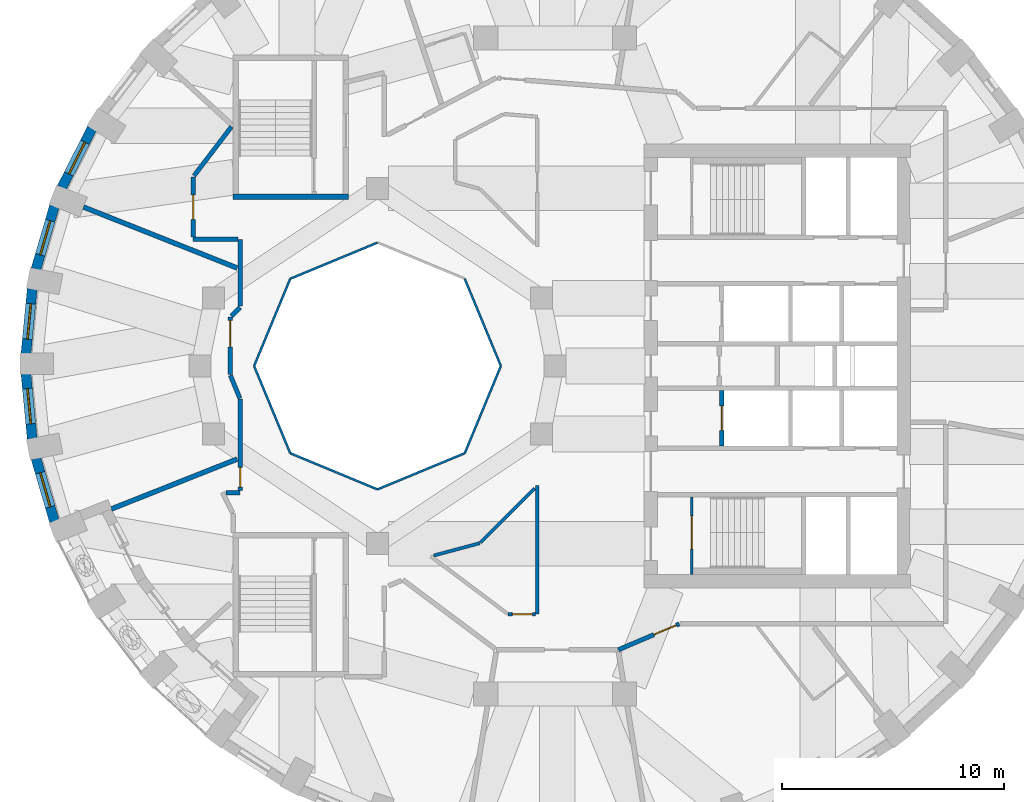
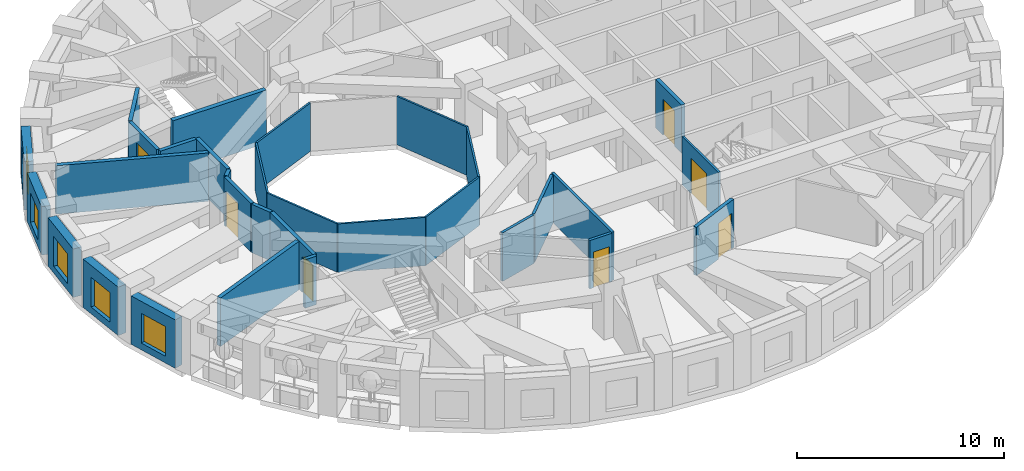
# One storey, part 4 of 11: 31 walls, 7 doors, 5 windows, 12 openings.
"""IFC4 building model written with IfcOpenShell, lengths in metres."""

from ifc_helpers import new_model, si_unit, direction, frame, frame_2d, origin, place, context, subcontext, project, spatial, rectangle, extrude, material, layer, layer_set, type_object, element, fill, save


model = new_model("IFC4")

# Units and contexts
model_context = context("Model", 3, precision=1e-05, world=origin(), true_north=direction((0.0, 1.0)))
body_context = subcontext(model_context, "Body", "Model", "MODEL_VIEW")
ifc_project = project(units=[si_unit("LENGTHUNIT", "METRE"), si_unit("AREAUNIT", "SQUARE_METRE"), si_unit("VOLUMEUNIT", "CUBIC_METRE"), si_unit("PLANEANGLEUNIT", "RADIAN"), si_unit("MASSUNIT", "GRAM", prefix="KILO")], contexts=[model_context])

# Site, building, storey
site_placement = place(None, origin())
site = spatial("IfcSite", under=ifc_project, at=site_placement, CompositionType="ELEMENT")
building_placement = place(site_placement, origin())
building = spatial("IfcBuilding", under=site, at=building_placement, Name="Taillehof Tower", CompositionType="ELEMENT")
storey_placement = place(building_placement, frame((0.0, 0.0, 181.39990234375)))
storey = spatial("IfcBuildingStorey", under=building, at=storey_placement, Name="L51", CompositionType="ELEMENT", Elevation=181.39990234375)

# Walls
ifc_material_1 = material(Name="Fire-resisting glass in steel frame", Category="steel")
ifc_layer_1 = layer(ifc_material_1, 0.10009765625)
ifc_layer_set_1 = layer_set([ifc_layer_1], Name="Atrium fire-resisting screen EI 60 100")
wall_type_1 = type_object("IfcWallType", Name="Atrium fire-resisting screen EI 60 100", PredefinedType="PARTITIONING", material=ifc_layer_set_1)
for number, where, z_axis, x_axis, name in (
    (1, (-2.44580078125, 0.0, 0.0), (0.0, 0.0, 1.0), (-0.382730523909, -0.923860025149, 0.0), "Atrium screen"),
    (2, (-4.07275390625, -3.92724609375, 0.0), (0.0, 0.0, 1.0), (-0.923860025149, -0.382730523909, 0.0), "Atrium screen"),
    (3, (-8.0, -5.55419921875, 0.0), (0.0, 0.0, 1.0), (-0.923860025149, 0.382730523909, 0.0), "Atrium screen"),
    (4, (-11.92724609375, -3.92724609375, 0.0), (0.0, 0.0, 1.0), (-0.382730523909, 0.923860025149, 0.0), "Atrium screen"),
    (5, (-13.55419921875, 0.0, 0.0), (0.0, 0.0, 1.0), (0.382730523909, 0.923860025149, 0.0), "Atrium screen"),
    (6, (-11.92724609375, 3.92724609375, 0.0), (0.0, 0.0, 1.0), (0.923860025149, 0.382730523909, 0.0), "Atrium screen"),
    (7, (-4.07275390625, 3.92724609375, 0.0), (0.0, 0.0, 1.0), (0.382730523909, -0.923860025149, 0.0), "Atrium screen"),
):
    element("IfcWall", number, at=place(storey_placement, frame(where, z_axis=z_axis, x_axis=x_axis)), inside=storey, type_object=wall_type_1, Name=name, PredefinedType="PARTITIONING", context=body_context, shape_type="SweptSolid", body=[
        extrude(rectangle(XDim=4.2509765625, YDim=0.10009765625, at=frame_2d((2.12548828125, 0.0))), origin(), (0.0, 0.0, 1.0), 2.85009765625),
    ])

# Wall, opening, window
ifc_material_2 = material(Name="Brick masonry", Category="masonry")
ifc_layer_2 = layer(ifc_material_2, 0.449951171875)
ifc_layer_set_2 = layer_set([ifc_layer_2], Name="Brick infill wall 450")
wall_type_2 = type_object("IfcWallType", Name="Brick infill wall 450", PredefinedType="SOLIDWALL", material=ifc_layer_set_2)
wall_1_placement = place(storey_placement, frame((-20.859375, 10.697021484375, 0.0), z_axis=(0.0, 0.0, 1.0), x_axis=(-0.454133999889, -0.890933392653, 0.0)))
wall_1 = element("IfcWall", 8, at=wall_1_placement, inside=storey, type_object=wall_type_2, Name="Brick wall L51 bay 16", PredefinedType="SOLIDWALL", context=body_context, shape_type="SweptSolid", body=[
    extrude(rectangle(XDim=2.98583984375, YDim=0.449951171875, at=frame_2d((1.492919921875, 0.0))), origin(), (0.0, 0.0, 1.0), 2.85009765625),
])
opening_1_placement = place(wall_1_placement, frame((0.69287109375, 0.0, 0.39990234375)))
opening_1 = element("IfcOpeningElement", 9, at=opening_1_placement, cuts=wall_1, Name="Opening W3", PredefinedType="OPENING", context=body_context, shape_type="SweptSolid", body=[
    extrude(rectangle(XDim=1.60009765625, YDim=1.75, at=frame_2d((0.800048828125, 0.875))), frame((0.0, 0.23486328125, 0.0), z_axis=(0.0, -1.0, 0.0), x_axis=(1.0, 0.0, 0.0)), (0.0, 0.0, 1.0), 0.469970703125),
])
ifc_material_3 = material(Name="Aluminium window frame with clear double glazing", Category="aluminium")
window_type = type_object("IfcWindowType", Name="Deep-set window 1600x1750", PartitioningType="SINGLE_PANEL", PredefinedType="WINDOW", material=ifc_material_3)
window_1_placement = place(opening_1_placement, origin())
window_1 = element("IfcWindow", 10, at=window_1_placement, inside=storey, type_object=window_type, Name="W3", OverallHeight=1.75, OverallWidth=1.60009765625, PartitioningType="SINGLE_PANEL", PredefinedType="WINDOW", context=body_context, shape_type="SweptSolid", body=[
    extrude(rectangle(XDim=1.60009765625, YDim=1.75, at=frame_2d((0.800048828125, 0.875))), frame((0.0, 0.034912109375, 0.0), z_axis=(0.0, -1.0, 0.0), x_axis=(1.0, 0.0, 0.0)), (0.0, 0.0, 1.0), 0.06005859375),
])
fill(opening_1, window_1)

wall_2_placement = place(storey_placement, frame((-22.55126953125, 7.19091796875, 0.0), z_axis=(0.0, 0.0, 1.0), x_axis=(-0.281125768296, -0.959670934435, 0.0)))
wall_2 = element("IfcWall", 11, at=wall_2_placement, inside=storey, type_object=wall_type_2, Name="Brick wall L51 bay 17", PredefinedType="SOLIDWALL", context=body_context, shape_type="SweptSolid", body=[
    extrude(rectangle(XDim=2.947509765625, YDim=0.449951171875, at=frame_2d((1.4736328125, 0.0))), origin(), (0.0, 0.0, 1.0), 2.85009765625),
])
opening_2_placement = place(wall_2_placement, frame((0.673583984375, 0.0, 0.39990234375)))
opening_2 = element("IfcOpeningElement", 12, at=opening_2_placement, cuts=wall_2, Name="Opening W3", PredefinedType="OPENING", context=body_context, shape_type="SweptSolid", body=[
    extrude(rectangle(XDim=1.60009765625, YDim=1.75, at=frame_2d((0.800048828125, 0.875))), frame((0.0, 0.23486328125, 0.0), z_axis=(0.0, -1.0, 0.0), x_axis=(1.0, 0.0, 0.0)), (0.0, 0.0, 1.0), 0.469970703125),
])
window_2_placement = place(opening_2_placement, origin())
window_2 = element("IfcWindow", 13, at=window_2_placement, inside=storey, type_object=window_type, Name="W3", OverallHeight=1.75, OverallWidth=1.60009765625, PartitioningType="SINGLE_PANEL", PredefinedType="WINDOW", context=body_context, shape_type="SweptSolid", body=[
    extrude(rectangle(XDim=1.60009765625, YDim=1.75, at=frame_2d((0.800048828125, 0.875))), frame((0.0, 0.034912109375, 0.0), z_axis=(0.0, -1.0, 0.0), x_axis=(1.0, 0.0, 0.0)), (0.0, 0.0, 1.0), 0.06005859375),
])
fill(opening_2, window_2)

wall_3_placement = place(storey_placement, frame((-23.5517578125, 3.468505859375, 0.0), z_axis=(0.0, 0.0, 1.0), x_axis=(-0.095265737322, -0.995451876935, 0.0)))
wall_3 = element("IfcWall", 14, at=wall_3_placement, inside=storey, type_object=wall_type_2, Name="Brick wall L51 bay 18", PredefinedType="SOLIDWALL", context=body_context, shape_type="SweptSolid", body=[
    extrude(rectangle(XDim=2.9267578125, YDim=0.449951171875, at=frame_2d((1.46337890625, 0.0))), origin(), (0.0, 0.0, 1.0), 2.85009765625),
])
opening_3_placement = place(wall_3_placement, frame((0.663330078125, 0.0, 0.39990234375)))
opening_3 = element("IfcOpeningElement", 15, at=opening_3_placement, cuts=wall_3, Name="Opening W3", PredefinedType="OPENING", context=body_context, shape_type="SweptSolid", body=[
    extrude(rectangle(XDim=1.60009765625, YDim=1.75, at=frame_2d((0.800048828125, 0.875))), frame((0.0, 0.23486328125, 0.0), z_axis=(0.0, -1.0, 0.0), x_axis=(1.0, 0.0, 0.0)), (0.0, 0.0, 1.0), 0.469970703125),
])
window_3_placement = place(opening_3_placement, origin())
window_3 = element("IfcWindow", 16, at=window_3_placement, inside=storey, type_object=window_type, Name="W3", OverallHeight=1.75, OverallWidth=1.60009765625, PartitioningType="SINGLE_PANEL", PredefinedType="WINDOW", context=body_context, shape_type="SweptSolid", body=[
    extrude(rectangle(XDim=1.60009765625, YDim=1.75, at=frame_2d((0.800048828125, 0.875))), frame((0.0, 0.034912109375, 0.0), z_axis=(0.0, -1.0, 0.0), x_axis=(1.0, 0.0, 0.0)), (0.0, 0.0, 1.0), 0.06005859375),
])
fill(opening_3, window_3)

wall_4_placement = place(storey_placement, frame((-23.83056640625, -0.35498046875, 0.0), z_axis=(0.0, 0.0, 1.0), x_axis=(0.095257827044, -0.995452633924, 0.0)))
wall_4 = element("IfcWall", 17, at=wall_4_placement, inside=storey, type_object=wall_type_2, Name="Brick wall L51 bay 19", PredefinedType="SOLIDWALL", context=body_context, shape_type="SweptSolid", body=[
    extrude(rectangle(XDim=2.927001953125, YDim=0.449951171875, at=frame_2d((1.46337890625, 0.0))), origin(), (0.0, 0.0, 1.0), 2.85009765625),
])
opening_4_placement = place(wall_4_placement, frame((0.663330078125, 0.0, 0.39990234375)))
opening_4 = element("IfcOpeningElement", 18, at=opening_4_placement, cuts=wall_4, Name="Opening W3", PredefinedType="OPENING", context=body_context, shape_type="SweptSolid", body=[
    extrude(rectangle(XDim=1.60009765625, YDim=1.75, at=frame_2d((0.800048828125, 0.875))), frame((0.0, 0.23486328125, 0.0), z_axis=(0.0, -1.0, 0.0), x_axis=(1.0, 0.0, 0.0)), (0.0, 0.0, 1.0), 0.469970703125),
])
window_4_placement = place(opening_4_placement, origin())
window_4 = element("IfcWindow", 19, at=window_4_placement, inside=storey, type_object=window_type, Name="W3", OverallHeight=1.75, OverallWidth=1.60009765625, PartitioningType="SINGLE_PANEL", PredefinedType="WINDOW", context=body_context, shape_type="SweptSolid", body=[
    extrude(rectangle(XDim=1.60009765625, YDim=1.75, at=frame_2d((0.800048828125, 0.875))), frame((0.0, 0.034912109375, 0.0), z_axis=(0.0, -1.0, 0.0), x_axis=(1.0, 0.0, 0.0)), (0.0, 0.0, 1.0), 0.06005859375),
])
fill(opening_4, window_4)

wall_5_placement = place(storey_placement, frame((-23.3798828125, -4.162353515625, 0.0), z_axis=(0.0, 0.0, 1.0), x_axis=(0.281125768296, -0.959670934435, 0.0)))
wall_5 = element("IfcWall", 20, at=wall_5_placement, inside=storey, type_object=wall_type_2, Name="Brick wall L51 bay 20", PredefinedType="SOLIDWALL", context=body_context, shape_type="SweptSolid", body=[
    extrude(rectangle(XDim=2.947509765625, YDim=0.449951171875, at=frame_2d((1.4736328125, 0.0))), origin(), (0.0, 0.0, 1.0), 2.85009765625),
])
opening_5_placement = place(wall_5_placement, frame((0.673583984375, 0.0, 0.39990234375)))
opening_5 = element("IfcOpeningElement", 21, at=opening_5_placement, cuts=wall_5, Name="Opening W3", PredefinedType="OPENING", context=body_context, shape_type="SweptSolid", body=[
    extrude(rectangle(XDim=1.60009765625, YDim=1.75, at=frame_2d((0.800048828125, 0.875))), frame((0.0, 0.23486328125, 0.0), z_axis=(0.0, -1.0, 0.0), x_axis=(1.0, 0.0, 0.0)), (0.0, 0.0, 1.0), 0.469970703125),
])
window_5_placement = place(opening_5_placement, origin())
window_5 = element("IfcWindow", 22, at=window_5_placement, inside=storey, type_object=window_type, Name="W3", OverallHeight=1.75, OverallWidth=1.60009765625, PartitioningType="SINGLE_PANEL", PredefinedType="WINDOW", context=body_context, shape_type="SweptSolid", body=[
    extrude(rectangle(XDim=1.60009765625, YDim=1.75, at=frame_2d((0.800048828125, 0.875))), frame((0.0, 0.034912109375, 0.0), z_axis=(0.0, -1.0, 0.0), x_axis=(1.0, 0.0, 0.0)), (0.0, 0.0, 1.0), 0.06005859375),
])
fill(opening_5, window_5)

# Wall
ifc_material_4 = material(Name="Gypsum board on steel studs, two layers each side", Category="steel")
ifc_layer_3 = layer(ifc_material_4, 0.199951171875)
ifc_layer_set_3 = layer_set([ifc_layer_3], Name="Compartment wall corridor 200")
wall_type_3 = type_object("IfcWallType", Name="Compartment wall corridor 200", PredefinedType="PARTITIONING", material=ifc_layer_set_3)
wall_6_placement = place(storey_placement, frame((-14.821533203125, -5.699951171875, 0.0), z_axis=(0.0, 0.0, 1.0), x_axis=(1.0, 0.0, 0.0)))
element("IfcWall", 23, at=wall_6_placement, inside=storey, type_object=wall_type_3, Name="Compartment wall", PredefinedType="PARTITIONING", context=body_context, shape_type="SweptSolid", body=[
    extrude(rectangle(XDim=0.639404296875, YDim=0.199951171875, at=frame_2d((0.31982421875, 0.0))), origin(), (0.0, 0.0, 1.0), 2.85009765625),
])

# Wall, opening, door
wall_7_placement = place(storey_placement, frame((-14.18212890625, -5.599853515625, 0.0), z_axis=(0.0, 0.0, 1.0), x_axis=(0.0, 1.0, 0.0)))
wall_7 = element("IfcWall", 24, at=wall_7_placement, inside=storey, type_object=wall_type_3, Name="Compartment wall", PredefinedType="PARTITIONING", context=body_context, shape_type="SweptSolid", body=[
    extrude(rectangle(XDim=4.110595703125, YDim=0.199951171875, at=frame_2d((2.05517578125, 0.0))), origin(), (0.0, 0.0, 1.0), 2.85009765625),
])
opening_6_placement = place(wall_7_placement, frame((0.139892578125, 0.0, 0.0)))
opening_6 = element("IfcOpeningElement", 25, at=opening_6_placement, cuts=wall_7, Name="Opening D5147", PredefinedType="OPENING", context=body_context, shape_type="SweptSolid", body=[
    extrude(rectangle(XDim=0.89990234375, YDim=2.10009765625, at=frame_2d((0.449951171875, 1.050048828125))), frame((0.0, 0.10986328125, 0.0), z_axis=(0.0, -1.0, 0.0), x_axis=(1.0, 0.0, 0.0)), (0.0, 0.0, 1.0), 0.219970703125),
])
ifc_material_5 = material(Name="Timber door leaf in steel frame", Category="steel")
door_type_1 = type_object("IfcDoorType", Name="Service room door EI 30 900 x 2100", OperationType="SINGLE_SWING_LEFT", PredefinedType="DOOR", material=ifc_material_5)
door_1_placement = place(opening_6_placement, origin())
door_1 = element("IfcDoor", 26, at=door_1_placement, inside=storey, type_object=door_type_1, Name="D5147", OperationType="SINGLE_SWING_LEFT", OverallHeight=2.10009765625, OverallWidth=0.89990234375, PredefinedType="DOOR", context=body_context, shape_type="SweptSolid", body=[
    extrude(rectangle(XDim=0.89990234375, YDim=2.10009765625, at=frame_2d((0.449951171875, 1.050048828125))), frame((0.0, 0.02490234375, 0.0), z_axis=(0.0, -1.0, 0.0), x_axis=(1.0, 0.0, 0.0)), (0.0, 0.0, 1.0), 0.050048828125),
])
fill(opening_6, door_1)

# Wall
wall_8_placement = place(storey_placement, frame((-14.197265625, -1.4521484375, 0.0), z_axis=(0.0, 0.0, 1.0), x_axis=(-0.382750994913, 0.923851544293, 0.0)))
element("IfcWall", 27, at=wall_8_placement, inside=storey, type_object=wall_type_3, Name="Compartment wall", PredefinedType="PARTITIONING", context=body_context, shape_type="SweptSolid", body=[
    extrude(rectangle(XDim=1.1162109375, YDim=0.199951171875, at=frame_2d((0.55810546875, 0.0))), origin(), (0.0, 0.0, 1.0), 2.85009765625),
])

# Wall, opening, door
wall_9_placement = place(storey_placement, frame((-14.62451171875, -0.380859375, 0.0), z_axis=(0.0, 0.0, 1.0), x_axis=(0.0, 1.0, 0.0)))
wall_9 = element("IfcWall", 28, at=wall_9_placement, inside=storey, type_object=wall_type_3, Name="Compartment wall", PredefinedType="PARTITIONING", context=body_context, shape_type="SweptSolid", body=[
    extrude(rectangle(XDim=2.580810546875, YDim=0.199951171875, at=frame_2d((1.29052734375, 0.0))), origin(), (0.0, 0.0, 1.0), 2.85009765625),
])
opening_7_placement = place(wall_9_placement, frame((1.24072265625, 0.0, 0.0)))
opening_7 = element("IfcOpeningElement", 29, at=opening_7_placement, cuts=wall_9, Name="Opening D5146", PredefinedType="OPENING", context=body_context, shape_type="SweptSolid", body=[
    extrude(rectangle(XDim=1.199951171875, YDim=2.10009765625, at=frame_2d((0.60009765625, 1.050048828125))), frame((0.0, 0.10986328125, 0.0), z_axis=(0.0, -1.0, 0.0), x_axis=(1.0, 0.0, 0.0)), (0.0, 0.0, 1.0), 0.219970703125),
])
ifc_material_6 = material(Name="Timber door leaf in steel frame", Category="steel")
door_type_2 = type_object("IfcDoorType", Name="Suite entrance door EI 30 1200 x 2100", OperationType="SINGLE_SWING_LEFT", PredefinedType="DOOR", material=ifc_material_6)
door_2_placement = place(opening_7_placement, origin())
door_2 = element("IfcDoor", 30, at=door_2_placement, inside=storey, type_object=door_type_2, Name="D5146", OperationType="SINGLE_SWING_RIGHT", OverallHeight=2.10009765625, OverallWidth=1.199951171875, PredefinedType="DOOR", context=body_context, shape_type="SweptSolid", body=[
    extrude(rectangle(XDim=1.199951171875, YDim=2.10009765625, at=frame_2d((0.60009765625, 1.050048828125))), frame((0.0, 0.02490234375, 0.0), z_axis=(0.0, -1.0, 0.0), x_axis=(1.0, 0.0, 0.0)), (0.0, 0.0, 1.0), 0.050048828125),
])
fill(opening_7, door_2)

# Walls
wall_10_placement = place(storey_placement, frame((-14.58203125, 2.242431640625, 0.0), z_axis=(0.0, 0.0, 1.0), x_axis=(0.706890969579, 0.707322526948, 0.0)))
element("IfcWall", 31, at=wall_10_placement, inside=storey, type_object=wall_type_3, Name="Compartment wall", PredefinedType="PARTITIONING", context=body_context, shape_type="SweptSolid", body=[
    extrude(rectangle(XDim=0.565673828125, YDim=0.199951171875, at=frame_2d((0.28271484375, 0.0))), origin(), (0.0, 0.0, 1.0), 2.85009765625),
])
wall_11_placement = place(storey_placement, frame((-14.18212890625, 2.70263671875, 0.0), z_axis=(0.0, 0.0, 1.0), x_axis=(0.0, 1.0, 0.0)))
element("IfcWall", 32, at=wall_11_placement, inside=storey, type_object=wall_type_3, Name="Compartment wall", PredefinedType="PARTITIONING", context=body_context, shape_type="SweptSolid", body=[
    extrude(rectangle(XDim=2.997314453125, YDim=0.199951171875, at=frame_2d((1.49853515625, 0.0))), origin(), (0.0, 0.0, 1.0), 2.85009765625),
])
wall_12_placement = place(storey_placement, frame((-14.2822265625, 5.699951171875, 0.0), z_axis=(0.0, 0.0, 1.0), x_axis=(-1.0, 0.0, 0.0)))
element("IfcWall", 33, at=wall_12_placement, inside=storey, type_object=wall_type_3, Name="Compartment wall", PredefinedType="PARTITIONING", context=body_context, shape_type="SweptSolid", body=[
    extrude(rectangle(XDim=2.017822265625, YDim=0.199951171875, at=frame_2d((1.0087890625, 0.0))), origin(), (0.0, 0.0, 1.0), 2.85009765625),
])

# Wall, opening, door
wall_13_placement = place(storey_placement, frame((-16.300048828125, 5.800048828125, 0.0), z_axis=(0.0, 0.0, 1.0), x_axis=(0.0, 1.0, 0.0)))
wall_13 = element("IfcWall", 34, at=wall_13_placement, inside=storey, type_object=wall_type_3, Name="Compartment wall", PredefinedType="PARTITIONING", context=body_context, shape_type="SweptSolid", body=[
    extrude(rectangle(XDim=2.718505859375, YDim=0.199951171875, at=frame_2d((1.359375, 0.0))), origin(), (0.0, 0.0, 1.0), 2.85009765625),
])
opening_8_placement = place(wall_13_placement, frame((0.809326171875, 0.0, 0.0)))
opening_8 = element("IfcOpeningElement", 35, at=opening_8_placement, cuts=wall_13, Name="Opening D5145", PredefinedType="OPENING", context=body_context, shape_type="SweptSolid", body=[
    extrude(rectangle(XDim=1.10009765625, YDim=2.10009765625, at=frame_2d((0.550048828125, 1.050048828125))), frame((0.0, 0.10986328125, 0.0), z_axis=(0.0, -1.0, 0.0), x_axis=(1.0, 0.0, 0.0)), (0.0, 0.0, 1.0), 0.219970703125),
])
ifc_material_7 = material(Name="Timber door leaf in steel frame", Category="steel")
door_type_3 = type_object("IfcDoorType", Name="Suite entrance door EI 30 1100 x 2100", OperationType="SINGLE_SWING_LEFT", PredefinedType="DOOR", material=ifc_material_7)
door_3_placement = place(opening_8_placement, origin())
door_3 = element("IfcDoor", 36, at=door_3_placement, inside=storey, type_object=door_type_3, Name="D5145", OperationType="SINGLE_SWING_RIGHT", OverallHeight=2.10009765625, OverallWidth=1.10009765625, PredefinedType="DOOR", context=body_context, shape_type="SweptSolid", body=[
    extrude(rectangle(XDim=1.10009765625, YDim=2.10009765625, at=frame_2d((0.550048828125, 1.050048828125))), frame((0.0, 0.02490234375, 0.0), z_axis=(0.0, -1.0, 0.0), x_axis=(1.0, 0.0, 0.0)), (0.0, 0.0, 1.0), 0.050048828125),
])
fill(opening_8, door_3)

# Wall
wall_14_placement = place(storey_placement, frame((-16.263427734375, 8.566162109375, 0.0), z_axis=(0.0, 0.0, 1.0), x_axis=(0.606668946119, 0.794954583492, 0.0)))
element("IfcWall", 37, at=wall_14_placement, inside=storey, type_object=wall_type_3, Name="Compartment wall", PredefinedType="PARTITIONING", context=body_context, shape_type="SweptSolid", body=[
    extrude(rectangle(XDim=2.78515625, YDim=0.199951171875, at=frame_2d((1.392578125, 0.0))), origin(), (0.0, 0.0, 1.0), 2.85009765625),
])

# Wall, opening, door
wall_15_placement = place(storey_placement, frame((5.587158203125, -11.61572265625, 0.0), z_axis=(0.0, 0.0, 1.0), x_axis=(-0.920312454828, -0.391184081334, 0.0)))
wall_15 = element("IfcWall", 38, at=wall_15_placement, inside=storey, type_object=wall_type_3, Name="Compartment wall", PredefinedType="PARTITIONING", context=body_context, shape_type="SweptSolid", body=[
    extrude(rectangle(XDim=2.97509765625, YDim=0.199951171875, at=frame_2d((1.487548828125, 0.0))), origin(), (0.0, 0.0, 1.0), 2.85009765625),
])
opening_9_placement = place(wall_15_placement, frame((0.139892578125, 0.0, 0.0)))
opening_9 = element("IfcOpeningElement", 39, at=opening_9_placement, cuts=wall_15, Name="Opening D5150", PredefinedType="OPENING", context=body_context, shape_type="SweptSolid", body=[
    extrude(rectangle(XDim=1.10009765625, YDim=2.10009765625, at=frame_2d((0.550048828125, 1.050048828125))), frame((0.0, 0.10986328125, 0.0), z_axis=(0.0, -1.0, 0.0), x_axis=(1.0, 0.0, 0.0)), (0.0, 0.0, 1.0), 0.219970703125),
])
door_4_placement = place(opening_9_placement, origin())
door_4 = element("IfcDoor", 40, at=door_4_placement, inside=storey, type_object=door_type_3, Name="D5150", OperationType="SINGLE_SWING_LEFT", OverallHeight=2.10009765625, OverallWidth=1.10009765625, PredefinedType="DOOR", context=body_context, shape_type="SweptSolid", body=[
    extrude(rectangle(XDim=1.10009765625, YDim=2.10009765625, at=frame_2d((0.550048828125, 1.050048828125))), frame((0.0, 0.02490234375, 0.0), z_axis=(0.0, -1.0, 0.0), x_axis=(1.0, 0.0, 0.0)), (0.0, 0.0, 1.0), 0.050048828125),
])
fill(opening_9, door_4)

# Walls
ifc_material_8 = material(Name="Gypsum board on double steel studs with mineral wool", Category="steel")
ifc_layer_4 = layer(ifc_material_8, 0.219970703125)
ifc_layer_set_4 = layer_set([ifc_layer_4], Name="Compartment wall guest room 220")
wall_type_4 = type_object("IfcWallType", Name="Compartment wall guest room 220", PredefinedType="PARTITIONING", material=ifc_layer_set_4)
wall_16_placement = place(storey_placement, frame((-21.23876953125, 7.15966796875, 0.0), z_axis=(0.0, 0.0, 1.0), x_axis=(0.929511234156, -0.368793798182, 0.0)))
element("IfcWall", 41, at=wall_16_placement, inside=storey, type_object=wall_type_4, Name="Compartment wall", PredefinedType="PARTITIONING", context=body_context, shape_type="SweptSolid", body=[
    extrude(rectangle(XDim=7.444091796875, YDim=0.219970703125, at=frame_2d((3.72216796875, 0.0))), origin(), (0.0, 0.0, 1.0), 2.85009765625),
])
wall_17_placement = place(storey_placement, frame((-19.98974609375, -6.441162109375, 0.0), z_axis=(0.0, 0.0, 1.0), x_axis=(0.929499857769, 0.368822470042, 0.0)))
element("IfcWall", 42, at=wall_17_placement, inside=storey, type_object=wall_type_4, Name="Compartment wall", PredefinedType="PARTITIONING", context=body_context, shape_type="SweptSolid", body=[
    extrude(rectangle(XDim=6.1005859375, YDim=0.219970703125, at=frame_2d((3.05029296875, 0.0))), origin(), (0.0, 0.0, 1.0), 2.85009765625),
])
ifc_material_9 = material(Name="Gypsum board on steel studs, two layers each side", Category="steel")
ifc_layer_5 = layer(ifc_material_9, 0.14990234375)
ifc_layer_set_5 = layer_set([ifc_layer_5], Name="Compartment wall service room 150")
wall_type_5 = type_object("IfcWallType", Name="Compartment wall service room 150", PredefinedType="PARTITIONING", material=ifc_layer_set_5)
wall_18_placement = place(storey_placement, frame((-0.800048828125, -5.386474609375, 0.0), z_axis=(0.0, 0.0, 1.0), x_axis=(0.0, -1.0, 0.0)))
element("IfcWall", 43, at=wall_18_placement, inside=storey, type_object=wall_type_5, Name="Compartment wall", PredefinedType="PARTITIONING", context=body_context, shape_type="SweptSolid", body=[
    extrude(rectangle(XDim=5.79296875, YDim=0.14990234375, at=frame_2d((2.896484375, 0.0))), origin(), (0.0, 0.0, 1.0), 2.85009765625),
])

# Wall, opening, door
wall_19_placement = place(storey_placement, frame((-0.880126953125, -11.179443359375, 0.0), z_axis=(0.0, 0.0, 1.0), x_axis=(-1.0, 0.0, 0.0)))
wall_19 = element("IfcWall", 44, at=wall_19_placement, inside=storey, type_object=wall_type_5, Name="Compartment wall", PredefinedType="PARTITIONING", context=body_context, shape_type="SweptSolid", body=[
    extrude(rectangle(XDim=1.236083984375, YDim=0.14990234375, at=frame_2d((0.6181640625, 0.0))), origin(), (0.0, 0.0, 1.0), 2.85009765625),
])
opening_10_placement = place(wall_19_placement, frame((0.139892578125, 0.0, 0.0)))
opening_10 = element("IfcOpeningElement", 45, at=opening_10_placement, cuts=wall_19, Name="Opening D5156", PredefinedType="OPENING", context=body_context, shape_type="SweptSolid", body=[
    extrude(rectangle(XDim=0.89990234375, YDim=2.10009765625, at=frame_2d((0.449951171875, 1.050048828125))), frame((0.0, 0.0849609375, 0.0), z_axis=(0.0, -1.0, 0.0), x_axis=(1.0, 0.0, 0.0)), (0.0, 0.0, 1.0), 0.169921875),
])
door_5_placement = place(opening_10_placement, origin())
door_5 = element("IfcDoor", 46, at=door_5_placement, inside=storey, type_object=door_type_1, Name="D5156", OperationType="SINGLE_SWING_RIGHT", OverallHeight=2.10009765625, OverallWidth=0.89990234375, PredefinedType="DOOR", context=body_context, shape_type="SweptSolid", body=[
    extrude(rectangle(XDim=0.89990234375, YDim=2.10009765625, at=frame_2d((0.449951171875, 1.050048828125))), frame((0.0, 0.02490234375, 0.0), z_axis=(0.0, -1.0, 0.0), x_axis=(1.0, 0.0, 0.0)), (0.0, 0.0, 1.0), 0.050048828125),
])
fill(opening_10, door_5)

# Walls
wall_20_placement = place(storey_placement, frame((-5.462890625, -8.534423828125, 0.0), z_axis=(0.0, 0.0, 1.0), x_axis=(0.965888027346, 0.258960071498, 0.0)))
element("IfcWall", 47, at=wall_20_placement, inside=storey, type_object=wall_type_5, Name="Compartment wall", PredefinedType="PARTITIONING", context=body_context, shape_type="SweptSolid", body=[
    extrude(rectangle(XDim=2.142822265625, YDim=0.14990234375, at=frame_2d((1.0712890625, 0.0))), origin(), (0.0, 0.0, 1.0), 2.85009765625),
])
wall_21_placement = place(storey_placement, frame((-3.36474609375, -7.951171875, 0.0), z_axis=(0.0, 0.0, 1.0), x_axis=(0.707106781187, 0.707106781187, 0.0)))
element("IfcWall", 48, at=wall_21_placement, inside=storey, type_object=wall_type_5, Name="Compartment wall", PredefinedType="PARTITIONING", context=body_context, shape_type="SweptSolid", body=[
    extrude(rectangle(XDim=3.44677734375, YDim=0.14990234375, at=frame_2d((1.723388671875, 0.0))), origin(), (0.0, 0.0, 1.0), 2.85009765625),
])

# Wall, opening, door
ifc_material_10 = material(Name="Concrete C50/60", Category="concrete")
ifc_layer_6 = layer(ifc_material_10, 0.199951171875)
ifc_layer_set_6 = layer_set([ifc_layer_6], Name="Shaft wall C50/60 200")
wall_type_6 = type_object("IfcWallType", Name="Shaft wall C50/60 200", PredefinedType="SHEAR", material=ifc_layer_set_6)
wall_22_placement = place(storey_placement, frame((7.5, -3.60009765625, 0.0), z_axis=(0.0, 0.0, 1.0), x_axis=(0.0, 1.0, 0.0)))
wall_22 = element("IfcWall", 49, at=wall_22_placement, inside=storey, type_object=wall_type_6, Name="Shaft wall SW", PredefinedType="SHEAR", context=body_context, shape_type="SweptSolid", body=[
    extrude(rectangle(XDim=2.5, YDim=0.199951171875, at=frame_2d((1.25, 0.0))), origin(), (0.0, 0.0, 1.0), 2.85009765625),
])
opening_11_placement = place(wall_22_placement, frame((0.699951171875, 0.0, 0.0)))
opening_11 = element("IfcOpeningElement", 50, at=opening_11_placement, cuts=wall_22, Name="Opening LD1", PredefinedType="OPENING", context=body_context, shape_type="SweptSolid", body=[
    extrude(rectangle(XDim=1.10009765625, YDim=2.10009765625, at=frame_2d((0.550048828125, 1.050048828125))), frame((0.0, 0.10986328125, 0.0), z_axis=(0.0, -1.0, 0.0), x_axis=(1.0, 0.0, 0.0)), (0.0, 0.0, 1.0), 0.219970703125),
])
ifc_material_11 = material(Name="Stainless steel", Category="steel")
door_type_4 = type_object("IfcDoorType", Name="Lift landing door LD1 1100x2100", OperationType="DOUBLE_DOOR_SLIDING", PredefinedType="DOOR", material=ifc_material_11)
door_6_placement = place(opening_11_placement, origin())
door_6 = element("IfcDoor", 51, at=door_6_placement, inside=storey, type_object=door_type_4, Name="Landing door FF2", OperationType="DOUBLE_DOOR_SLIDING", OverallHeight=2.10009765625, OverallWidth=1.10009765625, PredefinedType="DOOR", context=body_context, shape_type="SweptSolid", body=[
    extrude(rectangle(XDim=1.10009765625, YDim=2.10009765625, at=frame_2d((0.550048828125, 1.050048828125))), frame((0.0, 0.02490234375, 0.0), z_axis=(0.0, -1.0, 0.0), x_axis=(1.0, 0.0, 0.0)), (0.0, 0.0, 1.0), 0.050048828125),
])
fill(opening_11, door_6)

ifc_material_12 = material(Name="Concrete C50/60", Category="concrete")
ifc_layer_7 = layer(ifc_material_12, 0.1201171875)
ifc_layer_set_7 = layer_set([ifc_layer_7], Name="Stair lobby wall C50/60 120")
wall_type_7 = type_object("IfcWallType", Name="Stair lobby wall C50/60 120", PredefinedType="SHEAR", material=ifc_layer_set_7)
wall_23_placement = place(storey_placement, frame((6.159912109375, -9.39990234375, 0.0), z_axis=(0.0, 0.0, 1.0), x_axis=(0.0, 1.0, 0.0)))
wall_23 = element("IfcWall", 52, at=wall_23_placement, inside=storey, type_object=wall_type_7, Name="Compartment wall SW", PredefinedType="SHEAR", context=body_context, shape_type="SweptSolid", body=[
    extrude(rectangle(XDim=3.5, YDim=0.1201171875, at=frame_2d((1.75, 0.0))), origin(), (0.0, 0.0, 1.0), 2.85009765625),
])
opening_12_placement = place(wall_23_placement, frame((1.14990234375, 0.0, 0.0)))
opening_12 = element("IfcOpeningElement", 53, at=opening_12_placement, cuts=wall_23, Name="Opening D5111", PredefinedType="OPENING", context=body_context, shape_type="SweptSolid", body=[
    extrude(rectangle(XDim=1.5, YDim=2.10009765625, at=frame_2d((0.75, 1.050048828125))), frame((0.0, 0.070068359375, 0.0), z_axis=(0.0, -1.0, 0.0), x_axis=(1.0, 0.0, 0.0)), (0.0, 0.0, 1.0), 0.14013671875),
])
ifc_material_13 = material(Name="Steel-faced fire door", Category="steel")
door_type_5 = type_object("IfcDoorType", Name="Stair door 1500x2100", OperationType="DOUBLE_DOOR_SINGLE_SWING", PredefinedType="DOOR", material=ifc_material_13)
door_7_placement = place(opening_12_placement, origin())
door_7 = element("IfcDoor", 54, at=door_7_placement, inside=storey, type_object=door_type_5, Name="Stair lobby door S2", OperationType="DOUBLE_DOOR_SINGLE_SWING", OverallHeight=2.10009765625, OverallWidth=1.5, PredefinedType="DOOR", context=body_context, shape_type="SweptSolid", body=[
    extrude(rectangle(XDim=1.5, YDim=2.10009765625, at=frame_2d((0.75, 1.050048828125))), frame((0.0, 0.02490234375, 0.0), z_axis=(0.0, -1.0, 0.0), x_axis=(1.0, 0.0, 0.0)), (0.0, 0.0, 1.0), 0.050048828125),
])
fill(opening_12, door_7)

# Wall
ifc_material_14 = material(Name="Concrete C50/60", Category="concrete")
ifc_layer_8 = layer(ifc_material_14, 0.25)
ifc_layer_set_8 = layer_set([ifc_layer_8], Name="Stair wall C50/60 250")
wall_type_8 = type_object("IfcWallType", Name="Stair wall C50/60 250", PredefinedType="SHEAR", material=ifc_layer_set_8)
wall_24_placement = place(storey_placement, frame((-14.5, 7.625, -0.27978515625), z_axis=(0.0, 0.0, 1.0), x_axis=(1.0, 0.0, 0.0)))
element("IfcWall", 55, at=wall_24_placement, inside=storey, type_object=wall_type_8, Name="Stair wall SC", PredefinedType="SHEAR", context=body_context, shape_type="SweptSolid", body=[
    extrude(rectangle(XDim=5.199951171875, YDim=0.25, at=frame_2d((2.60009765625, 0.0))), origin(), (0.0, 0.0, 1.0), 3.1298828125),
])

save(model, "model.ifc")
